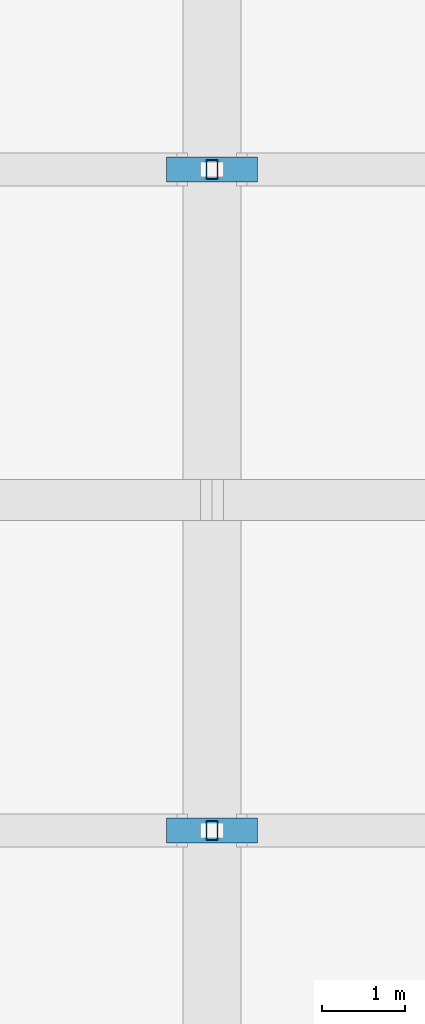
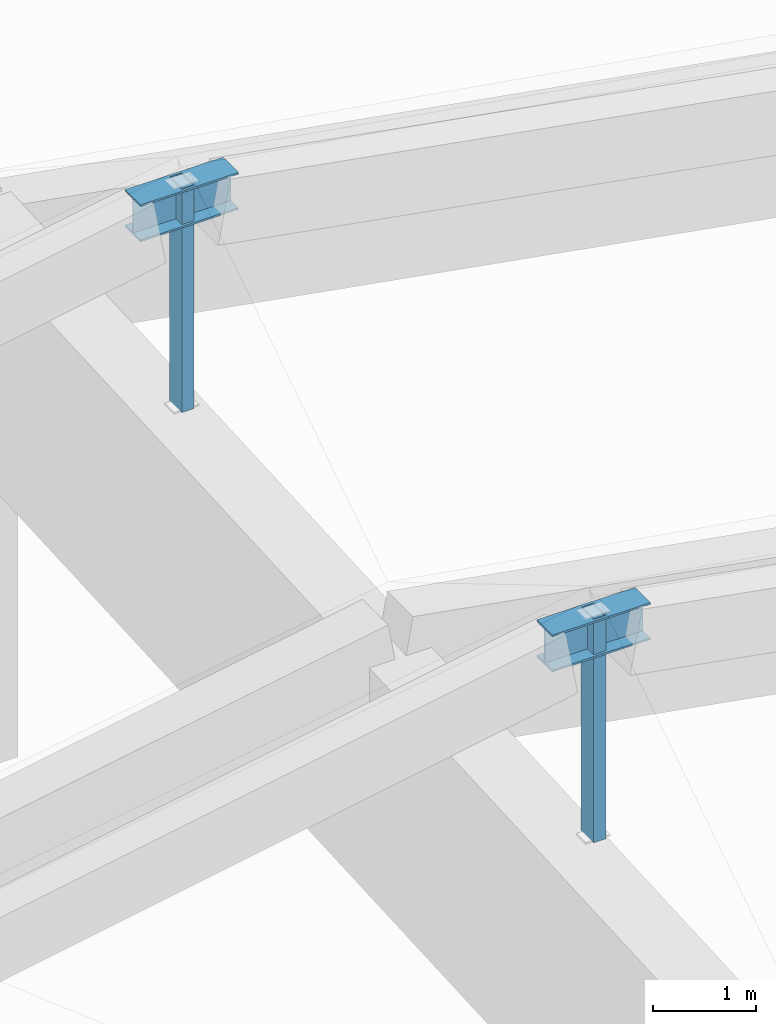
# One storey, part 23 of 109: 4 members.
"""IFC4 building model written with IfcOpenShell, lengths in metres."""

import ifcopenshell
import ifcopenshell.guid

model = None  # the IFC model being written
_history = None  # IfcOwnerHistory: only IFC2X3 demands one
_inside = {}  # id of a spatial element -> (the spatial element, [elements in it])
_under = {}  # id of a project, library or spatial element -> (it, [spatial elements below it])
_declared = {}  # id of a project -> (the project, [libraries it declares])
_typed = {}  # id of a type object -> (the type object, [elements of that type])
_made_of = {}  # id of a material, layer set ... -> (it, [elements and type objects made of it])


def new_model(schema):
    """Start an empty IFC model of exactly this schema.

    Asked for "IFC4X3", IfcOpenShell would pick the latest addendum, in which some entities
    have other attributes; the version numbers below select the first issue.
    IFC2X3 requires an IfcOwnerHistory on every rooted entity: one is made here for all.
    """
    global model, _history
    if schema == "IFC4X3":
        model = ifcopenshell.file(schema_version=(4, 3, 0, 0))
    else:
        model = ifcopenshell.file(schema=schema)
    _inside.clear()
    _under.clear()
    _declared.clear()
    _typed.clear()
    _made_of.clear()
    _history = None
    if model.schema == "IFC2X3":
        org = make("IfcOrganization", Name="unknown")
        user = make(
            "IfcPersonAndOrganization",
            ThePerson=make("IfcPerson", FamilyName="unknown"),
            TheOrganization=org,
        )
        app = make(
            "IfcApplication",
            ApplicationDeveloper=org,
            Version="unknown",
            ApplicationFullName="unknown",
            ApplicationIdentifier="unknown",
        )
        _history = make(
            "IfcOwnerHistory",
            OwningUser=user,
            OwningApplication=app,
            ChangeAction="ADDED",
            CreationDate=0,
        )
    return model


def make(cls, **values):
    """One entity of the class cls with the attributes given. An attribute that is None is left unset."""
    return model.create_entity(
        cls, **{name: value for name, value in values.items() if value is not None}
    )


def rooted(cls, **values):
    """An entity with a GlobalId (a new one), such as an element, a storey or a relation."""
    return make(cls, GlobalId=ifcopenshell.guid.new(), OwnerHistory=_history, **values)


def si_unit(unit_type, name, prefix=None):
    """IfcSIUnit, for example si_unit("LENGTHUNIT", "METRE", prefix="MILLI")."""
    return make("IfcSIUnit", UnitType=unit_type, Prefix=prefix, Name=name)


def assignment(units):
    """IfcUnitAssignment: the units of a project."""
    return None if units is None else make("IfcUnitAssignment", Units=units)


def point(xyz):
    """IfcCartesianPoint."""
    return None if xyz is None else make("IfcCartesianPoint", Coordinates=xyz)


def direction(xyz):
    """IfcDirection."""
    return None if xyz is None else make("IfcDirection", DirectionRatios=xyz)


def frame(location, z_axis=None, x_axis=None):
    """IfcAxis2Placement3D, a coordinate frame: its origin and axes. An axis left out is left unset."""
    return make(
        "IfcAxis2Placement3D",
        Location=point(location),
        Axis=direction(z_axis),
        RefDirection=direction(x_axis),
    )


def frame_2d(location, x_axis=None):
    """IfcAxis2Placement2D, a coordinate frame in the plane: its origin and x axis."""
    return make(
        "IfcAxis2Placement2D", Location=point(location), RefDirection=direction(x_axis)
    )


def origin():
    """The frame at (0, 0, 0) with its axes left unset."""
    return frame((0.0, 0.0, 0.0))


def origin_2d():
    """The frame at (0, 0) in the plane with its x axis left unset."""
    return frame_2d((0.0, 0.0))


def place(relative_to, where):
    """IfcLocalPlacement: puts the frame where relative to a parent placement (None: the world)."""
    return make(
        "IfcLocalPlacement", PlacementRelTo=relative_to, RelativePlacement=where
    )


def context(
    kind, dimensions, precision=None, world=None, true_north=None, identifier=None
):
    """IfcGeometricRepresentationContext, for example the 3D "Model" context."""
    return make(
        "IfcGeometricRepresentationContext",
        ContextIdentifier=identifier,
        ContextType=kind,
        CoordinateSpaceDimension=dimensions,
        Precision=precision,
        WorldCoordinateSystem=world,
        TrueNorth=true_north,
    )


def subcontext(parent, identifier, kind, view, scale=None):
    """IfcGeometricRepresentationSubContext, for example "Body" below "Model"."""
    return make(
        "IfcGeometricRepresentationSubContext",
        ContextIdentifier=identifier,
        ContextType=kind,
        ParentContext=parent,
        TargetScale=scale,
        TargetView=view,
    )


def project(units=None, contexts=None):
    """IfcProject with its units and contexts."""
    return rooted(
        "IfcProject",
        Name="project",
        RepresentationContexts=contexts,
        UnitsInContext=assignment(units),
    )


def spatial(cls, under=None, at=None, **own):
    """A site, building, storey or space (cls), placed at a placement, below another one or the project."""
    s = rooted(cls, ObjectPlacement=at, **own)
    if under is not None:
        _under.setdefault(under.id(), (under, []))[1].append(s)
    return s


def profile(cls, at=None, kind="AREA", **sizes):
    """A parametric profile (cls). Its sizes go by their IFC names, for example OverallWidth=200.0."""
    return make(cls, ProfileType=kind, Position=at, **sizes)


def hollow_rectangle(**sizes):
    """IfcRectangleHollowProfileDef."""
    return profile("IfcRectangleHollowProfileDef", **sizes)


def i_section(**sizes):
    """IfcIShapeProfileDef."""
    return profile("IfcIShapeProfileDef", **sizes)


def extrude(swept, where, along, depth):
    """IfcExtrudedAreaSolid: the profile swept, set in the frame where, extruded along a direction by depth."""
    return make(
        "IfcExtrudedAreaSolid",
        SweptArea=swept,
        Position=where,
        ExtrudedDirection=direction(along),
        Depth=depth,
    )


def shape(context_of_items, identifier, shape_type, items):
    """IfcShapeRepresentation: the items that make up one representation, for example the "Body"."""
    return make(
        "IfcShapeRepresentation",
        ContextOfItems=context_of_items,
        RepresentationIdentifier=identifier,
        RepresentationType=shape_type,
        Items=items,
    )


def material(Name=None, Category=None):
    """IfcMaterial."""
    return make("IfcMaterial", Name=Name, Category=Category)


def material_profile(
    of_material, cross_section, Name=None, Category=None, Priority=None
):
    """IfcMaterialProfile: a cross section and its material."""
    return make(
        "IfcMaterialProfile",
        Name=Name,
        Material=of_material,
        Profile=cross_section,
        Priority=Priority,
        Category=Category,
    )


def profile_set(profiles, Name=None, composite=None):
    """IfcMaterialProfileSet."""
    return make(
        "IfcMaterialProfileSet",
        Name=Name,
        MaterialProfiles=profiles,
        CompositeProfile=composite,
    )


def made_of(thing, what):
    """Note that an element or type object is made of a material, layer set ...; save() writes the relation."""
    if what is not None:
        _made_of.setdefault(what.id(), (what, []))[1].append(thing)
    return thing


def type_object(cls, material=None, **own):
    """A type object (cls), such as IfcWallType, which elements share."""
    return made_of(rooted(cls, **own), material)


def element(
    cls,
    number,
    at=None,
    inside=None,
    cuts=None,
    type_object=None,
    material=None,
    context=None,
    identifier="Body",
    shape_type=None,
    held_by="IfcProductDefinitionShape",
    body=None,
    shapes=None,
    **own,
):
    """One element of the class cls, such as IfcWall. Its Tag is "e" and its number.

    at: its placement. inside: the storey or other place that contains it. cuts: it is an
    opening in that element (IfcRelVoidsElement). A single representation is given by context,
    identifier, shape_type and body (its items); several are given by shapes. held_by: the class
    of the entity that holds the representations. save() writes the other relations.
    """
    e = rooted(cls, Tag="e%d" % number, ObjectPlacement=at, **own)
    if body is not None:
        shapes = [shape(context, identifier, shape_type, body)]
    if shapes is not None:
        e.Representation = make(held_by, Representations=shapes)
    if inside is not None:
        _inside.setdefault(inside.id(), (inside, []))[1].append(e)
    if cuts is not None:
        rooted(
            "IfcRelVoidsElement", RelatingBuildingElement=cuts, RelatedOpeningElement=e
        )
    if type_object is not None:
        _typed.setdefault(type_object.id(), (type_object, []))[1].append(e)
    return made_of(e, material)


def aggregate(whole, parts):
    """IfcRelAggregates: a whole, such as a stair, and the parts it consists of."""
    return rooted("IfcRelAggregates", RelatingObject=whole, RelatedObjects=parts)


def save(model, path):
    """Write the relations noted so far, then the file.

    IfcRelAggregates (storeys below a building ...), IfcRelContainedInSpatialStructure (elements
    in a storey), IfcRelDefinesByType, IfcRelAssociatesMaterial and IfcRelDeclares: one each for
    every whole, place, type object, material and project.
    """
    for whole, parts in _under.values():
        aggregate(whole, parts)
    for where, things in _inside.values():
        rooted(
            "IfcRelContainedInSpatialStructure",
            RelatedElements=things,
            RelatingStructure=where,
        )
    for kind, things in _typed.values():
        rooted("IfcRelDefinesByType", RelatedObjects=things, RelatingType=kind)
    for what, things in _made_of.values():
        rooted("IfcRelAssociatesMaterial", RelatedObjects=things, RelatingMaterial=what)
    for by, libraries in _declared.values():
        rooted("IfcRelDeclares", RelatingContext=by, RelatedDefinitions=libraries)
    model.write(path)


model = new_model("IFC4")

# Units and contexts
model_context = context("Model", 3, precision=1e-05, world=origin(), true_north=direction((0.0, 1.0)))
body_context = subcontext(model_context, "Body", "Model", "MODEL_VIEW")
ifc_project = project(units=[si_unit("LENGTHUNIT", "METRE"), si_unit("AREAUNIT", "SQUARE_METRE"), si_unit("VOLUMEUNIT", "CUBIC_METRE"), si_unit("PLANEANGLEUNIT", "RADIAN"), si_unit("MASSUNIT", "GRAM", prefix="KILO")], contexts=[model_context])

# Site, building, storey
site_placement = place(None, origin())
site = spatial("IfcSite", under=ifc_project, at=site_placement, CompositionType="ELEMENT")
building_placement = place(site_placement, origin())
building = spatial("IfcBuilding", under=site, at=building_placement, Name="Zavelmont Quarter", CompositionType="ELEMENT")
storey_placement = place(building_placement, frame((0.0, 0.0, 8.0)))
storey = spatial("IfcBuildingStorey", under=building, at=storey_placement, Name="L02", CompositionType="ELEMENT", Elevation=8.0)

# Members
ifc_material = material(Name="Steel S355", Category="steel")
ifc_material_profile_1 = material_profile(ifc_material, hollow_rectangle(XDim=0.139892578125, YDim=0.239990234375, WallThickness=0.010009765625, at=origin_2d()), Name="RHS 240X140X10")
ifc_profile_set_1 = profile_set([ifc_material_profile_1], Name="Steel S355")
member_type_1 = type_object("IfcMemberType", Name="CLM1", PredefinedType="CHORD", material=ifc_profile_set_1)
for number, where, z_axis, x_axis, name in (
    (1, (84.0, 50.0, 6.280029296875), (0.0, 0.0, 1.0), (1.0, 0.0, 0.0), "L02 member CLM1 13/H to 13/H"),
    (2, (84.0, 58.0, 6.530029296875), (0.0, 0.0, 1.0), (1.0, 0.0, 0.0), "L02 member CLM1 13/J to 13/J"),
):
    element("IfcMember", number, at=place(storey_placement, frame(where, z_axis=z_axis, x_axis=x_axis)), inside=storey, type_object=member_type_1, Name=name, PredefinedType="CHORD", context=body_context, shape_type="SweptSolid", body=[
        extrude(hollow_rectangle(XDim=0.139892578125, YDim=0.239990234375, WallThickness=0.010009765625, at=origin_2d()), origin(), (0.0, 0.0, 1.0), 2.64990234375),
    ])
ifc_material_profile_2 = material_profile(ifc_material, i_section(OverallWidth=0.300048828125, OverallDepth=0.43994140625, WebThickness=0.011474609375, FlangeThickness=0.02099609375, at=origin_2d()), Name="HEA 450")
ifc_profile_set_2 = profile_set([ifc_material_profile_2], Name="Steel S355")
member_type_2 = type_object("IfcMemberType", Name="RFM1", PredefinedType="RAFTER", material=ifc_profile_set_2)
for number, where, z_axis, x_axis, name in (
    (3, (83.449951171875, 50.0, 8.7099609375), (1.0, 0.0, 0.0), (0.0, 1.0, 0.0), "L02 member RFM1 13/H to 13/H"),
    (4, (83.449951171875, 58.0, 8.9599609375), (1.0, 0.0, 0.0), (0.0, 1.0, 0.0), "L02 member RFM1 13/J to 13/J"),
):
    element("IfcMember", number, at=place(storey_placement, frame(where, z_axis=z_axis, x_axis=x_axis)), inside=storey, type_object=member_type_2, Name=name, PredefinedType="RAFTER", context=body_context, shape_type="SweptSolid", body=[
        extrude(i_section(OverallWidth=0.300048828125, OverallDepth=0.43994140625, WebThickness=0.011474609375, FlangeThickness=0.02099609375, at=origin_2d()), origin(), (0.0, 0.0, 1.0), 1.10009765625),
    ])

save(model, "model.ifc")
